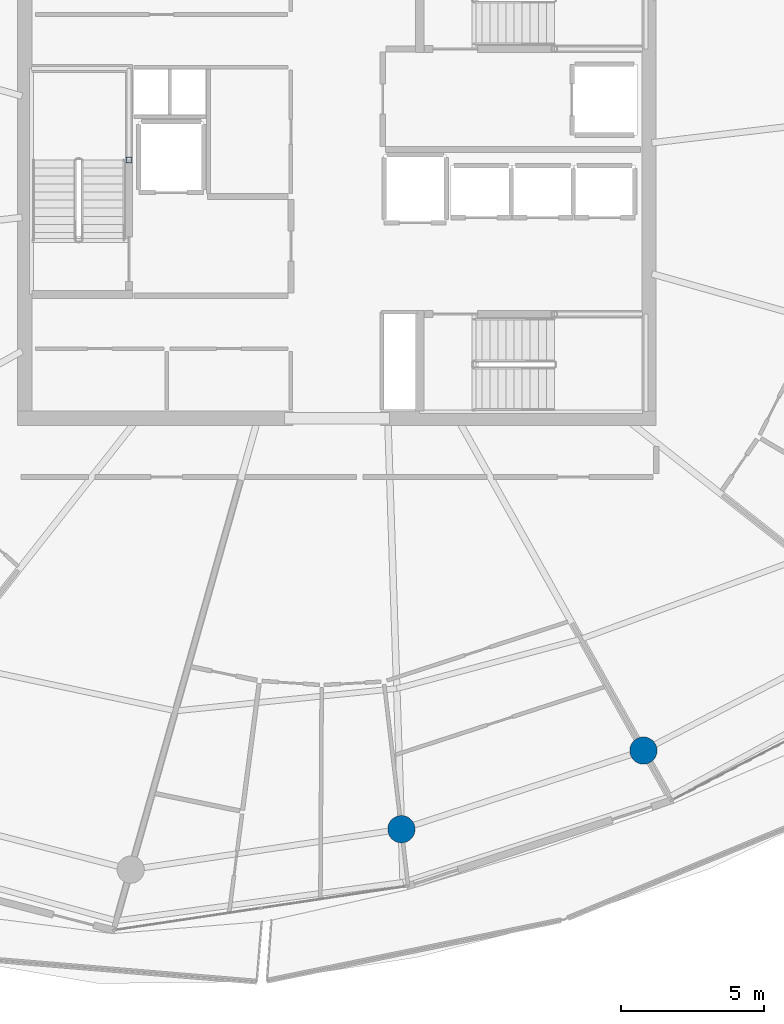
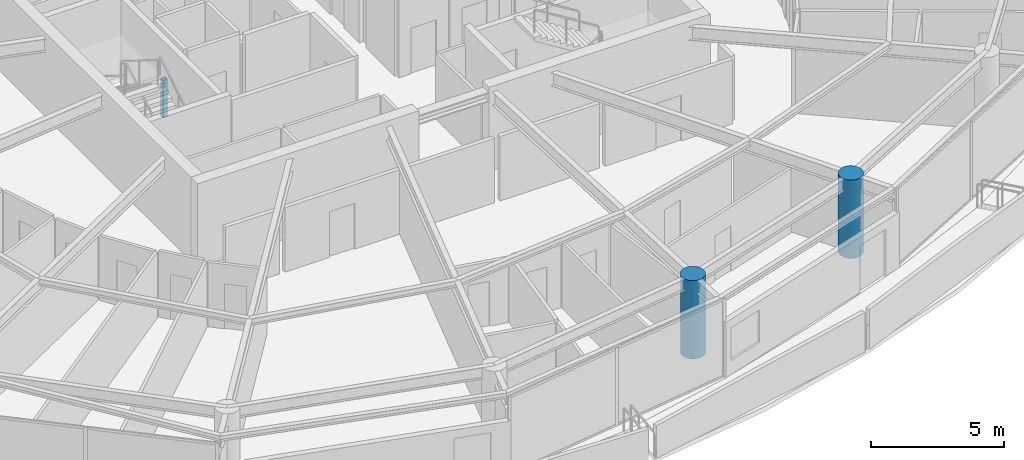
# One storey, part 2 of 30: 3 columns.
"""IFC4 building model written with IfcOpenShell, lengths in metres."""

from ifc_helpers import new_model, si_unit, direction, frame, origin, origin_2d, place, context, subcontext, project, spatial, hollow_rectangle, circle, extrude, material, material_profile, profile_set, type_object, element, save


model = new_model("IFC4")

# Units and contexts
model_context = context("Model", 3, precision=1e-05, world=origin(), true_north=direction((0.0, 1.0)))
body_context = subcontext(model_context, "Body", "Model", "MODEL_VIEW")
ifc_project = project(units=[si_unit("LENGTHUNIT", "METRE"), si_unit("AREAUNIT", "SQUARE_METRE"), si_unit("VOLUMEUNIT", "CUBIC_METRE"), si_unit("PLANEANGLEUNIT", "RADIAN"), si_unit("MASSUNIT", "GRAM", prefix="KILO")], contexts=[model_context])

# Site, building, storey
site_placement = place(None, origin())
site = spatial("IfcSite", under=ifc_project, at=site_placement, CompositionType="ELEMENT")
building_placement = place(site_placement, origin())
building = spatial("IfcBuilding", under=site, at=building_placement, Name="Kazma Halo Residences", CompositionType="ELEMENT")
storey_placement = place(building_placement, frame((0.0, 0.0, 290.60009765625)))
storey = spatial("IfcBuildingStorey", under=building, at=storey_placement, Name="L73", CompositionType="ELEMENT", Elevation=290.60009765625)

# Columns
ifc_material_1 = material(Name="Steel S355", Category="steel")
ifc_material_profile_1 = material_profile(ifc_material_1, hollow_rectangle(XDim=0.199951171875, YDim=0.199951171875, WallThickness=0.010009765625, InnerFilletRadius=0.010009765625, OuterFilletRadius=0.02001953125, at=origin_2d()), Name="SHS200x200x10")
ifc_profile_set_1 = profile_set([ifc_material_profile_1], Name="Steel S355")
column_type_1 = type_object("IfcColumnType", Name="COL-LP-SHS200", PredefinedType="COLUMN", material=ifc_profile_set_1)
column_placement = place(storey_placement, frame((41.179931640625, 42.75, 0.0), z_axis=(0.0, 0.0, 1.0), x_axis=(1.0, 0.0, 0.0)))
element("IfcColumn", 1, at=column_placement, inside=storey, type_object=column_type_1, Name="L73 ST-01 landing pilaster 1", PredefinedType="COLUMN", context=body_context, shape_type="SweptSolid", body=[
    extrude(hollow_rectangle(XDim=0.199951171875, YDim=0.199951171875, WallThickness=0.010009765625, InnerFilletRadius=0.010009765625, OuterFilletRadius=0.02001953125, at=origin_2d()), origin(), (0.0, 0.0, 1.0), 1.719970703125),
])
ifc_material_2 = material(Name="Concrete C60/75", Category="concrete")
ifc_material_profile_2 = material_profile(ifc_material_2, circle(Radius=0.47509765625, at=origin_2d()), Name="CIRC950")
ifc_profile_set_2 = profile_set([ifc_material_profile_2], Name="Concrete C60/75")
column_type_2 = type_object("IfcColumnType", Name="COL-PERIM-950", PredefinedType="COLUMN", material=ifc_profile_set_2)
for number, where, z_axis, x_axis, name in (
    (2, (50.67138671875, 19.42919921875, 0.0), (0.0, 0.0, 1.0), (1.0, 0.0, 0.0), "L73 perimeter ring column P12"),
    (3, (59.10546875, 22.169677734375, 0.0), (0.0, 0.0, 1.0), (1.0, 0.0, 0.0), "L73 perimeter ring column P13"),
):
    element("IfcColumn", number, at=place(storey_placement, frame(where, z_axis=z_axis, x_axis=x_axis)), inside=storey, type_object=column_type_2, Name=name, PredefinedType="COLUMN", context=body_context, shape_type="SweptSolid", body=[
        extrude(circle(Radius=0.47509765625, at=origin_2d()), origin(), (0.0, 0.0, 1.0), 3.58984375),
    ])

save(model, "model.ifc")
